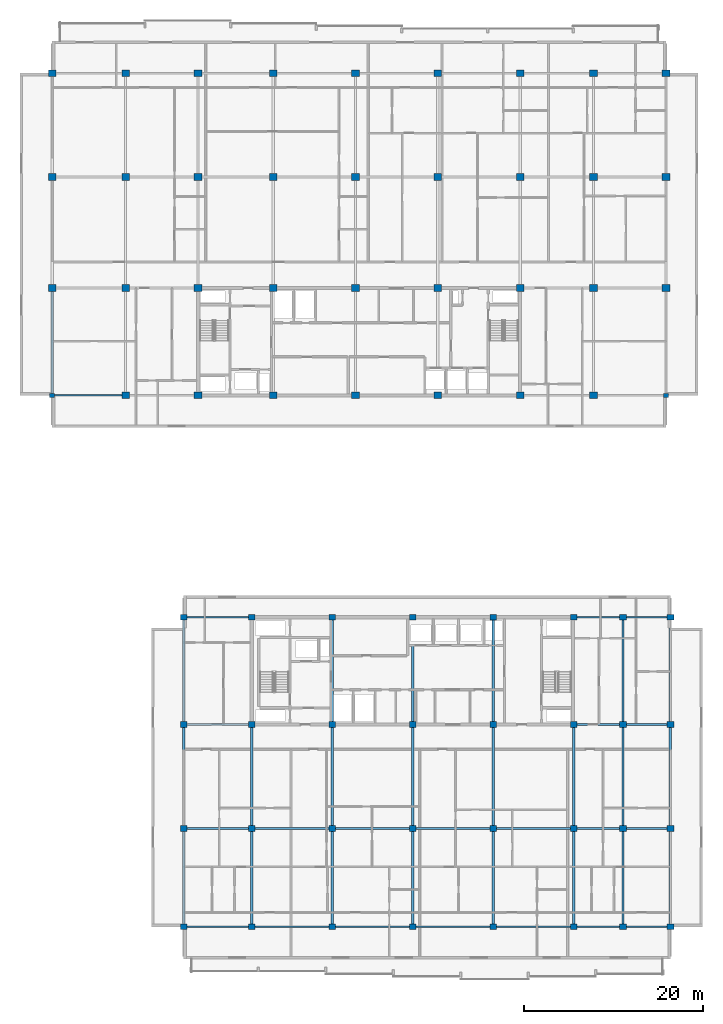
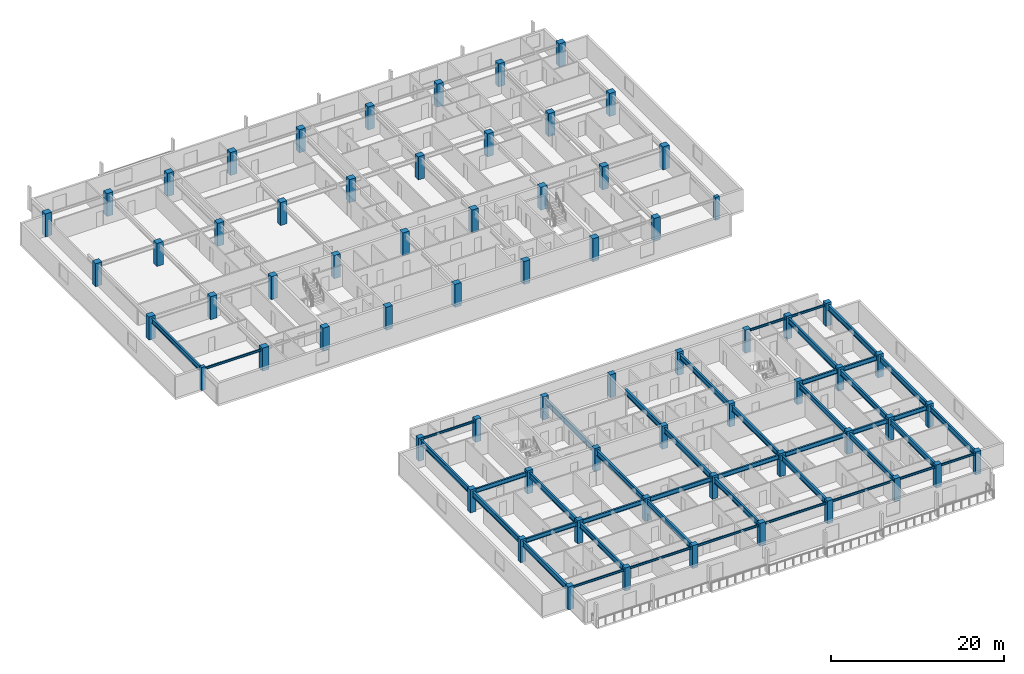
# One storey, part 1 of 21: 68 columns, 44 beams.
"""IFC4 building model written with IfcOpenShell, lengths in metres."""

from ifc_helpers import new_model, si_unit, direction, frame, origin, origin_2d, place, context, subcontext, project, spatial, rectangle, i_section, extrude, material, material_profile, profile_set, type_object, element, save


model = new_model("IFC4")

# Units and contexts
model_context = context("Model", 3, precision=1e-05, world=origin(), true_north=direction((0.0, 1.0)))
body_context = subcontext(model_context, "Body", "Model", "MODEL_VIEW")
ifc_project = project(units=[si_unit("LENGTHUNIT", "METRE"), si_unit("AREAUNIT", "SQUARE_METRE"), si_unit("VOLUMEUNIT", "CUBIC_METRE"), si_unit("PLANEANGLEUNIT", "RADIAN"), si_unit("MASSUNIT", "GRAM", prefix="KILO")], contexts=[model_context])

# Site, building, storey
site_placement = place(None, origin())
site = spatial("IfcSite", under=ifc_project, at=site_placement, CompositionType="ELEMENT")
building_placement = place(site_placement, origin())
building = spatial("IfcBuilding", under=site, at=building_placement, Name="Korimba Cascade Residences", CompositionType="ELEMENT")
storey_placement = place(building_placement, frame((0.0, 0.0, 188.10009765625)))
storey = spatial("IfcBuildingStorey", under=building, at=storey_placement, Name="L54", CompositionType="ELEMENT", Elevation=188.10009765625)

# Columns
ifc_material_1 = material(Name="Concrete C65/80", Category="concrete")
ifc_material_profile_1 = material_profile(ifc_material_1, rectangle(XDim=0.550048828125, YDim=0.449951171875, at=origin_2d()), Name="Concrete C65/80")
ifc_profile_set_1 = profile_set([ifc_material_profile_1], Name="Concrete C65/80")
column_type_1 = type_object("IfcColumnType", Name="COL-PIL-550", PredefinedType="PILASTER", material=ifc_profile_set_1)
for number, where, z_axis, x_axis, name in (
    (1, (59.800048828125, 55.199951171875, 0.0), (0.0, 0.0, 1.0), (1.0, 0.0, 0.0), "L54 Tower 1 Column 1.1"),
    (2, (128.39990234375, 55.199951171875, 0.0), (0.0, 0.0, 1.0), (1.0, 0.0, 0.0), "L54 Tower 1 Column 9.1"),
):
    element("IfcColumn", number, at=place(storey_placement, frame(where, z_axis=z_axis, x_axis=x_axis)), inside=storey, type_object=column_type_1, Name=name, PredefinedType="PILASTER", context=body_context, shape_type="SweptSolid", body=[
        extrude(rectangle(XDim=0.550048828125, YDim=0.449951171875, at=origin_2d()), origin(), (0.0, 0.0, 1.0), 3.25),
    ])
ifc_material_2 = material(Name="Concrete C50/60", Category="concrete")
ifc_material_profile_2 = material_profile(ifc_material_2, rectangle(XDim=0.75, YDim=0.64990234375, at=origin_2d()), Name="Concrete C50/60")
ifc_profile_set_2 = profile_set([ifc_material_profile_2], Name="Concrete C50/60")
column_type_2 = type_object("IfcColumnType", Name="COL-RC-750", PredefinedType="COLUMN", material=ifc_profile_set_2)
for number, where, z_axis, x_axis, name in (
    (3, (74.5, -4.199951171875, 0.0), (0.0, 0.0, 1.0), (1.0, 0.0, 0.0), "L54 Tower 2 Column 1.1"),
    (4, (74.5, 6.800048828125, 0.0), (0.0, 0.0, 1.0), (1.0, 0.0, 0.0), "L54 Tower 2 Column 1.2"),
    (5, (74.5, 18.39990234375, 0.0), (0.0, 0.0, 1.0), (1.0, 0.0, 0.0), "L54 Tower 2 Column 1.3"),
    (6, (74.5, 30.39990234375, 0.0), (0.0, 0.0, 1.0), (1.0, 0.0, 0.0), "L54 Tower 2 Column 1.4"),
    (7, (82.10009765625, -4.199951171875, 0.0), (0.0, 0.0, 1.0), (1.0, 0.0, 0.0), "L54 Tower 2 Column 2.1"),
    (8, (82.10009765625, 6.800048828125, 0.0), (0.0, 0.0, 1.0), (1.0, 0.0, 0.0), "L54 Tower 2 Column 2.2"),
    (9, (82.10009765625, 18.39990234375, 0.0), (0.0, 0.0, 1.0), (1.0, 0.0, 0.0), "L54 Tower 2 Column 2.3"),
    (10, (82.10009765625, 30.39990234375, 0.0), (0.0, 0.0, 1.0), (1.0, 0.0, 0.0), "L54 Tower 2 Column 2.4"),
    (11, (91.10009765625, -4.199951171875, 0.0), (0.0, 0.0, 1.0), (1.0, 0.0, 0.0), "L54 Tower 2 Column 3.1"),
    (12, (91.10009765625, 6.800048828125, 0.0), (0.0, 0.0, 1.0), (1.0, 0.0, 0.0), "L54 Tower 2 Column 3.2"),
    (13, (91.10009765625, 18.39990234375, 0.0), (0.0, 0.0, 1.0), (1.0, 0.0, 0.0), "L54 Tower 2 Column 3.3"),
    (14, (91.10009765625, 30.39990234375, 0.0), (0.0, 0.0, 1.0), (1.0, 0.0, 0.0), "L54 Tower 2 Column 3.4"),
    (15, (100.10009765625, -4.199951171875, 0.0), (0.0, 0.0, 1.0), (1.0, 0.0, 0.0), "L54 Tower 2 Column 4.1"),
    (16, (100.10009765625, 6.800048828125, 0.0), (0.0, 0.0, 1.0), (1.0, 0.0, 0.0), "L54 Tower 2 Column 4.2"),
    (17, (100.10009765625, 18.39990234375, 0.0), (0.0, 0.0, 1.0), (1.0, 0.0, 0.0), "L54 Tower 2 Column 4.3"),
    (18, (100.10009765625, 30.39990234375, 0.0), (0.0, 0.0, 1.0), (1.0, 0.0, 0.0), "L54 Tower 2 Column 4.4"),
    (19, (109.10009765625, -4.199951171875, 0.0), (0.0, 0.0, 1.0), (1.0, 0.0, 0.0), "L54 Tower 2 Column 5.1"),
    (20, (109.10009765625, 6.800048828125, 0.0), (0.0, 0.0, 1.0), (1.0, 0.0, 0.0), "L54 Tower 2 Column 5.2"),
    (21, (109.10009765625, 18.39990234375, 0.0), (0.0, 0.0, 1.0), (1.0, 0.0, 0.0), "L54 Tower 2 Column 5.3"),
    (22, (109.10009765625, 30.39990234375, 0.0), (0.0, 0.0, 1.0), (1.0, 0.0, 0.0), "L54 Tower 2 Column 5.4"),
    (23, (118.10009765625, -4.199951171875, 0.0), (0.0, 0.0, 1.0), (1.0, 0.0, 0.0), "L54 Tower 2 Column 6.1"),
    (24, (118.10009765625, 6.800048828125, 0.0), (0.0, 0.0, 1.0), (1.0, 0.0, 0.0), "L54 Tower 2 Column 6.2"),
    (25, (118.10009765625, 18.39990234375, 0.0), (0.0, 0.0, 1.0), (1.0, 0.0, 0.0), "L54 Tower 2 Column 6.3"),
    (26, (118.10009765625, 30.39990234375, 0.0), (0.0, 0.0, 1.0), (1.0, 0.0, 0.0), "L54 Tower 2 Column 6.4"),
    (27, (123.60009765625, -4.199951171875, 0.0), (0.0, 0.0, 1.0), (1.0, 0.0, 0.0), "L54 Tower 2 Column 7.1"),
    (28, (123.60009765625, 6.800048828125, 0.0), (0.0, 0.0, 1.0), (1.0, 0.0, 0.0), "L54 Tower 2 Column 7.2"),
    (29, (123.60009765625, 18.39990234375, 0.0), (0.0, 0.0, 1.0), (1.0, 0.0, 0.0), "L54 Tower 2 Column 7.3"),
    (30, (123.60009765625, 30.39990234375, 0.0), (0.0, 0.0, 1.0), (1.0, 0.0, 0.0), "L54 Tower 2 Column 7.4"),
    (31, (128.89990234375, -4.199951171875, 0.0), (0.0, 0.0, 1.0), (1.0, 0.0, 0.0), "L54 Tower 2 Column 8.1"),
    (32, (128.89990234375, 6.800048828125, 0.0), (0.0, 0.0, 1.0), (1.0, 0.0, 0.0), "L54 Tower 2 Column 8.2"),
    (33, (128.89990234375, 18.39990234375, 0.0), (0.0, 0.0, 1.0), (1.0, 0.0, 0.0), "L54 Tower 2 Column 8.3"),
    (34, (128.89990234375, 30.39990234375, 0.0), (0.0, 0.0, 1.0), (1.0, 0.0, 0.0), "L54 Tower 2 Column 8.4"),
):
    element("IfcColumn", number, at=place(storey_placement, frame(where, z_axis=z_axis, x_axis=x_axis)), inside=storey, type_object=column_type_2, Name=name, PredefinedType="COLUMN", context=body_context, shape_type="SweptSolid", body=[
        extrude(rectangle(XDim=0.75, YDim=0.64990234375, at=origin_2d()), origin(), (0.0, 0.0, 1.0), 3.25),
    ])
ifc_material_profile_3 = material_profile(ifc_material_1, rectangle(XDim=0.85009765625, YDim=0.75, at=origin_2d()), Name="Concrete C65/80")
ifc_profile_set_3 = profile_set([ifc_material_profile_3], Name="Concrete C65/80")
column_type_3 = type_object("IfcColumnType", Name="COL-RC-850", PredefinedType="COLUMN", material=ifc_profile_set_3)
for number, where, z_axis, x_axis, name in (
    (35, (59.800048828125, 67.199951171875, 0.0), (0.0, 0.0, 1.0), (1.0, 0.0, 0.0), "L54 Tower 1 Column 1.2"),
    (36, (59.800048828125, 79.60009765625, 0.0), (0.0, 0.0, 1.0), (1.0, 0.0, 0.0), "L54 Tower 1 Column 1.3"),
    (37, (59.800048828125, 91.199951171875, 0.0), (0.0, 0.0, 1.0), (1.0, 0.0, 0.0), "L54 Tower 1 Column 1.4"),
    (38, (68.0, 55.199951171875, 0.0), (0.0, 0.0, 1.0), (1.0, 0.0, 0.0), "L54 Tower 1 Column 2.1"),
    (39, (68.0, 67.199951171875, 0.0), (0.0, 0.0, 1.0), (1.0, 0.0, 0.0), "L54 Tower 1 Column 2.2"),
    (40, (68.0, 79.60009765625, 0.0), (0.0, 0.0, 1.0), (1.0, 0.0, 0.0), "L54 Tower 1 Column 2.3"),
    (41, (68.0, 91.199951171875, 0.0), (0.0, 0.0, 1.0), (1.0, 0.0, 0.0), "L54 Tower 1 Column 2.4"),
    (42, (76.10009765625, 55.199951171875, 0.0), (0.0, 0.0, 1.0), (1.0, 0.0, 0.0), "L54 Tower 1 Column 3.1"),
    (43, (76.10009765625, 67.199951171875, 0.0), (0.0, 0.0, 1.0), (1.0, 0.0, 0.0), "L54 Tower 1 Column 3.2"),
    (44, (76.10009765625, 79.60009765625, 0.0), (0.0, 0.0, 1.0), (1.0, 0.0, 0.0), "L54 Tower 1 Column 3.3"),
    (45, (76.10009765625, 91.199951171875, 0.0), (0.0, 0.0, 1.0), (1.0, 0.0, 0.0), "L54 Tower 1 Column 3.4"),
    (46, (84.5, 55.199951171875, 0.0), (0.0, 0.0, 1.0), (1.0, 0.0, 0.0), "L54 Tower 1 Column 4.1"),
    (47, (84.5, 67.199951171875, 0.0), (0.0, 0.0, 1.0), (1.0, 0.0, 0.0), "L54 Tower 1 Column 4.2"),
    (48, (84.5, 79.60009765625, 0.0), (0.0, 0.0, 1.0), (1.0, 0.0, 0.0), "L54 Tower 1 Column 4.3"),
    (49, (84.5, 91.199951171875, 0.0), (0.0, 0.0, 1.0), (1.0, 0.0, 0.0), "L54 Tower 1 Column 4.4"),
    (50, (93.699951171875, 55.199951171875, 0.0), (0.0, 0.0, 1.0), (1.0, 0.0, 0.0), "L54 Tower 1 Column 5.1"),
    (51, (93.699951171875, 67.199951171875, 0.0), (0.0, 0.0, 1.0), (1.0, 0.0, 0.0), "L54 Tower 1 Column 5.2"),
    (52, (93.699951171875, 79.60009765625, 0.0), (0.0, 0.0, 1.0), (1.0, 0.0, 0.0), "L54 Tower 1 Column 5.3"),
    (53, (93.699951171875, 91.199951171875, 0.0), (0.0, 0.0, 1.0), (1.0, 0.0, 0.0), "L54 Tower 1 Column 5.4"),
    (54, (102.89990234375, 55.199951171875, 0.0), (0.0, 0.0, 1.0), (1.0, 0.0, 0.0), "L54 Tower 1 Column 6.1"),
    (55, (102.89990234375, 67.199951171875, 0.0), (0.0, 0.0, 1.0), (1.0, 0.0, 0.0), "L54 Tower 1 Column 6.2"),
    (56, (102.89990234375, 79.60009765625, 0.0), (0.0, 0.0, 1.0), (1.0, 0.0, 0.0), "L54 Tower 1 Column 6.3"),
    (57, (102.89990234375, 91.199951171875, 0.0), (0.0, 0.0, 1.0), (1.0, 0.0, 0.0), "L54 Tower 1 Column 6.4"),
    (58, (112.10009765625, 55.199951171875, 0.0), (0.0, 0.0, 1.0), (1.0, 0.0, 0.0), "L54 Tower 1 Column 7.1"),
    (59, (112.10009765625, 67.199951171875, 0.0), (0.0, 0.0, 1.0), (1.0, 0.0, 0.0), "L54 Tower 1 Column 7.2"),
    (60, (112.10009765625, 79.60009765625, 0.0), (0.0, 0.0, 1.0), (1.0, 0.0, 0.0), "L54 Tower 1 Column 7.3"),
    (61, (112.10009765625, 91.199951171875, 0.0), (0.0, 0.0, 1.0), (1.0, 0.0, 0.0), "L54 Tower 1 Column 7.4"),
    (62, (120.300048828125, 55.199951171875, 0.0), (0.0, 0.0, 1.0), (1.0, 0.0, 0.0), "L54 Tower 1 Column 8.1"),
    (63, (120.300048828125, 67.199951171875, 0.0), (0.0, 0.0, 1.0), (1.0, 0.0, 0.0), "L54 Tower 1 Column 8.2"),
    (64, (120.300048828125, 79.60009765625, 0.0), (0.0, 0.0, 1.0), (1.0, 0.0, 0.0), "L54 Tower 1 Column 8.3"),
    (65, (120.300048828125, 91.199951171875, 0.0), (0.0, 0.0, 1.0), (1.0, 0.0, 0.0), "L54 Tower 1 Column 8.4"),
    (66, (128.39990234375, 67.199951171875, 0.0), (0.0, 0.0, 1.0), (1.0, 0.0, 0.0), "L54 Tower 1 Column 9.2"),
    (67, (128.39990234375, 79.60009765625, 0.0), (0.0, 0.0, 1.0), (1.0, 0.0, 0.0), "L54 Tower 1 Column 9.3"),
    (68, (128.39990234375, 91.199951171875, 0.0), (0.0, 0.0, 1.0), (1.0, 0.0, 0.0), "L54 Tower 1 Column 9.4"),
):
    element("IfcColumn", number, at=place(storey_placement, frame(where, z_axis=z_axis, x_axis=x_axis)), inside=storey, type_object=column_type_3, Name=name, PredefinedType="COLUMN", context=body_context, shape_type="SweptSolid", body=[
        extrude(rectangle(XDim=0.85009765625, YDim=0.75, at=origin_2d()), origin(), (0.0, 0.0, 1.0), 3.25),
    ])

# Beams
ifc_material_3 = material(Name="Steel S355", Category="steel")
ifc_material_profile_4 = material_profile(ifc_material_3, i_section(OverallWidth=0.165771484375, OverallDepth=0.306640625, WebThickness=0.006591796875, FlangeThickness=0.01171875, FilletRadius=0.0087890625, at=origin_2d()), Name="Steel S355")
ifc_profile_set_4 = profile_set([ifc_material_profile_4], Name="Steel S355")
beam_type_1 = type_object("IfcBeamType", Name="BM-STL-UB305", PredefinedType="SPANDREL", material=ifc_profile_set_4)
beam_1_placement = place(storey_placement, frame((60.074951171875, 55.199951171875, 2.816650390625), z_axis=(1.0, 0.0, 0.0), x_axis=(0.0, 1.0, 0.0)))
element("IfcBeam", 69, at=beam_1_placement, inside=storey, type_object=beam_type_1, Name="L54 T1 E-W Girder Y1 Bay 1", PredefinedType="SPANDREL", context=body_context, shape_type="SweptSolid", body=[
    extrude(i_section(OverallWidth=0.165771484375, OverallDepth=0.306640625, WebThickness=0.006591796875, FlangeThickness=0.01171875, FilletRadius=0.0087890625, at=origin_2d()), origin(), (0.0, 0.0, 1.0), 7.5),
])
beam_2_placement = place(storey_placement, frame((74.875, -4.199951171875, 2.816650390625), z_axis=(1.0, 0.0, 0.0), x_axis=(0.0, 1.0, 0.0)))
element("IfcBeam", 70, at=beam_2_placement, inside=storey, type_object=beam_type_1, Name="L54 T2 E-W Girder Y1 Bay 1", PredefinedType="SPANDREL", context=body_context, shape_type="SweptSolid", body=[
    extrude(i_section(OverallWidth=0.165771484375, OverallDepth=0.306640625, WebThickness=0.006591796875, FlangeThickness=0.01171875, FilletRadius=0.0087890625, at=origin_2d()), origin(), (0.0, 0.0, 1.0), 6.85009765625),
])
for number, where, z_axis, x_axis, name in (
    (71, (82.47509765625, -4.199951171875, 2.816650390625), (1.0, 0.0, 0.0), (0.0, 1.0, 0.0), "L54 T2 E-W Girder Y1 Bay 2"),
    (72, (91.47509765625, -4.199951171875, 2.816650390625), (1.0, 0.0, 0.0), (0.0, 1.0, 0.0), "L54 T2 E-W Girder Y1 Bay 3"),
    (73, (100.47509765625, -4.199951171875, 2.816650390625), (1.0, 0.0, 0.0), (0.0, 1.0, 0.0), "L54 T2 E-W Girder Y1 Bay 4"),
    (74, (109.47509765625, -4.199951171875, 2.816650390625), (1.0, 0.0, 0.0), (0.0, 1.0, 0.0), "L54 T2 E-W Girder Y1 Bay 5"),
):
    element("IfcBeam", number, at=place(storey_placement, frame(where, z_axis=z_axis, x_axis=x_axis)), inside=storey, type_object=beam_type_1, Name=name, PredefinedType="SPANDREL", context=body_context, shape_type="SweptSolid", body=[
        extrude(i_section(OverallWidth=0.165771484375, OverallDepth=0.306640625, WebThickness=0.006591796875, FlangeThickness=0.01171875, FilletRadius=0.0087890625, at=origin_2d()), origin(), (0.0, 0.0, 1.0), 8.25),
    ])
beam_3_placement = place(storey_placement, frame((118.47509765625, -4.199951171875, 2.816650390625), z_axis=(1.0, 0.0, 0.0), x_axis=(0.0, 1.0, 0.0)))
element("IfcBeam", 75, at=beam_3_placement, inside=storey, type_object=beam_type_1, Name="L54 T2 E-W Girder Y1 Bay 6", PredefinedType="SPANDREL", context=body_context, shape_type="SweptSolid", body=[
    extrude(i_section(OverallWidth=0.165771484375, OverallDepth=0.306640625, WebThickness=0.006591796875, FlangeThickness=0.01171875, FilletRadius=0.0087890625, at=origin_2d()), origin(), (0.0, 0.0, 1.0), 4.75),
])
beam_4_placement = place(storey_placement, frame((123.97509765625, -4.199951171875, 2.816650390625), z_axis=(1.0, 0.0, 0.0), x_axis=(0.0, 1.0, 0.0)))
element("IfcBeam", 76, at=beam_4_placement, inside=storey, type_object=beam_type_1, Name="L54 T2 E-W Girder Y1 Bay 7", PredefinedType="SPANDREL", context=body_context, shape_type="SweptSolid", body=[
    extrude(i_section(OverallWidth=0.165771484375, OverallDepth=0.306640625, WebThickness=0.006591796875, FlangeThickness=0.01171875, FilletRadius=0.0087890625, at=origin_2d()), origin(), (0.0, 0.0, 1.0), 4.5498046875),
])
beam_5_placement = place(storey_placement, frame((74.875, 30.39990234375, 2.816650390625), z_axis=(1.0, 0.0, 0.0), x_axis=(0.0, 1.0, 0.0)))
element("IfcBeam", 77, at=beam_5_placement, inside=storey, type_object=beam_type_1, Name="L54 T2 E-W Girder Y4 Bay 1", PredefinedType="SPANDREL", context=body_context, shape_type="SweptSolid", body=[
    extrude(i_section(OverallWidth=0.165771484375, OverallDepth=0.306640625, WebThickness=0.006591796875, FlangeThickness=0.01171875, FilletRadius=0.0087890625, at=origin_2d()), origin(), (0.0, 0.0, 1.0), 6.85009765625),
])
beam_6_placement = place(storey_placement, frame((118.47509765625, 30.39990234375, 2.816650390625), z_axis=(1.0, 0.0, 0.0), x_axis=(0.0, 1.0, 0.0)))
element("IfcBeam", 78, at=beam_6_placement, inside=storey, type_object=beam_type_1, Name="L54 T2 E-W Girder Y4 Bay 6", PredefinedType="SPANDREL", context=body_context, shape_type="SweptSolid", body=[
    extrude(i_section(OverallWidth=0.165771484375, OverallDepth=0.306640625, WebThickness=0.006591796875, FlangeThickness=0.01171875, FilletRadius=0.0087890625, at=origin_2d()), origin(), (0.0, 0.0, 1.0), 4.75),
])
beam_7_placement = place(storey_placement, frame((123.97509765625, 30.39990234375, 2.816650390625), z_axis=(1.0, 0.0, 0.0), x_axis=(0.0, 1.0, 0.0)))
element("IfcBeam", 79, at=beam_7_placement, inside=storey, type_object=beam_type_1, Name="L54 T2 E-W Girder Y4 Bay 7", PredefinedType="SPANDREL", context=body_context, shape_type="SweptSolid", body=[
    extrude(i_section(OverallWidth=0.165771484375, OverallDepth=0.306640625, WebThickness=0.006591796875, FlangeThickness=0.01171875, FilletRadius=0.0087890625, at=origin_2d()), origin(), (0.0, 0.0, 1.0), 4.5498046875),
])
ifc_material_profile_5 = material_profile(ifc_material_3, i_section(OverallWidth=0.22900390625, OverallDepth=0.6123046875, WebThickness=0.011962890625, FlangeThickness=0.01953125, FilletRadius=0.0126953125, at=origin_2d()), Name="Steel S355")
ifc_profile_set_5 = profile_set([ifc_material_profile_5], Name="Steel S355")
beam_type_2 = type_object("IfcBeamType", Name="BM-STL-UB610B", PredefinedType="BEAM", material=ifc_profile_set_5)
beam_8_placement = place(storey_placement, frame((74.875, 6.800048828125, 2.663818359375), z_axis=(1.0, 0.0, 0.0), x_axis=(0.0, 1.0, 0.0)))
element("IfcBeam", 80, at=beam_8_placement, inside=storey, type_object=beam_type_2, Name="L54 T2 E-W Girder Y2 Bay 1", PredefinedType="BEAM", context=body_context, shape_type="SweptSolid", body=[
    extrude(i_section(OverallWidth=0.22900390625, OverallDepth=0.6123046875, WebThickness=0.011962890625, FlangeThickness=0.01953125, FilletRadius=0.0126953125, at=origin_2d()), origin(), (0.0, 0.0, 1.0), 6.85009765625),
])
for number, where, z_axis, x_axis, name in (
    (81, (82.47509765625, 6.800048828125, 2.663818359375), (1.0, 0.0, 0.0), (0.0, 1.0, 0.0), "L54 T2 E-W Girder Y2 Bay 2"),
    (82, (91.47509765625, 6.800048828125, 2.663818359375), (1.0, 0.0, 0.0), (0.0, 1.0, 0.0), "L54 T2 E-W Girder Y2 Bay 3"),
    (83, (100.47509765625, 6.800048828125, 2.663818359375), (1.0, 0.0, 0.0), (0.0, 1.0, 0.0), "L54 T2 E-W Girder Y2 Bay 4"),
    (84, (109.47509765625, 6.800048828125, 2.663818359375), (1.0, 0.0, 0.0), (0.0, 1.0, 0.0), "L54 T2 E-W Girder Y2 Bay 5"),
):
    element("IfcBeam", number, at=place(storey_placement, frame(where, z_axis=z_axis, x_axis=x_axis)), inside=storey, type_object=beam_type_2, Name=name, PredefinedType="BEAM", context=body_context, shape_type="SweptSolid", body=[
        extrude(i_section(OverallWidth=0.22900390625, OverallDepth=0.6123046875, WebThickness=0.011962890625, FlangeThickness=0.01953125, FilletRadius=0.0126953125, at=origin_2d()), origin(), (0.0, 0.0, 1.0), 8.25),
    ])
beam_9_placement = place(storey_placement, frame((118.47509765625, 6.800048828125, 2.663818359375), z_axis=(1.0, 0.0, 0.0), x_axis=(0.0, 1.0, 0.0)))
element("IfcBeam", 85, at=beam_9_placement, inside=storey, type_object=beam_type_2, Name="L54 T2 E-W Girder Y2 Bay 6", PredefinedType="BEAM", context=body_context, shape_type="SweptSolid", body=[
    extrude(i_section(OverallWidth=0.22900390625, OverallDepth=0.6123046875, WebThickness=0.011962890625, FlangeThickness=0.01953125, FilletRadius=0.0126953125, at=origin_2d()), origin(), (0.0, 0.0, 1.0), 4.75),
])
beam_10_placement = place(storey_placement, frame((123.97509765625, 6.800048828125, 2.663818359375), z_axis=(1.0, 0.0, 0.0), x_axis=(0.0, 1.0, 0.0)))
element("IfcBeam", 86, at=beam_10_placement, inside=storey, type_object=beam_type_2, Name="L54 T2 E-W Girder Y2 Bay 7", PredefinedType="BEAM", context=body_context, shape_type="SweptSolid", body=[
    extrude(i_section(OverallWidth=0.22900390625, OverallDepth=0.6123046875, WebThickness=0.011962890625, FlangeThickness=0.01953125, FilletRadius=0.0126953125, at=origin_2d()), origin(), (0.0, 0.0, 1.0), 4.5498046875),
])
beam_11_placement = place(storey_placement, frame((74.875, 18.39990234375, 2.663818359375), z_axis=(1.0, 0.0, 0.0), x_axis=(0.0, 1.0, 0.0)))
element("IfcBeam", 87, at=beam_11_placement, inside=storey, type_object=beam_type_2, Name="L54 T2 E-W Girder Y3 Bay 1", PredefinedType="BEAM", context=body_context, shape_type="SweptSolid", body=[
    extrude(i_section(OverallWidth=0.22900390625, OverallDepth=0.6123046875, WebThickness=0.011962890625, FlangeThickness=0.01953125, FilletRadius=0.0126953125, at=origin_2d()), origin(), (0.0, 0.0, 1.0), 6.85009765625),
])
beam_12_placement = place(storey_placement, frame((118.47509765625, 18.39990234375, 2.663818359375), z_axis=(1.0, 0.0, 0.0), x_axis=(0.0, 1.0, 0.0)))
element("IfcBeam", 88, at=beam_12_placement, inside=storey, type_object=beam_type_2, Name="L54 T2 E-W Girder Y3 Bay 6", PredefinedType="BEAM", context=body_context, shape_type="SweptSolid", body=[
    extrude(i_section(OverallWidth=0.22900390625, OverallDepth=0.6123046875, WebThickness=0.011962890625, FlangeThickness=0.01953125, FilletRadius=0.0126953125, at=origin_2d()), origin(), (0.0, 0.0, 1.0), 4.75),
])
beam_13_placement = place(storey_placement, frame((123.97509765625, 18.39990234375, 2.663818359375), z_axis=(1.0, 0.0, 0.0), x_axis=(0.0, 1.0, 0.0)))
element("IfcBeam", 89, at=beam_13_placement, inside=storey, type_object=beam_type_2, Name="L54 T2 E-W Girder Y3 Bay 7", PredefinedType="BEAM", context=body_context, shape_type="SweptSolid", body=[
    extrude(i_section(OverallWidth=0.22900390625, OverallDepth=0.6123046875, WebThickness=0.011962890625, FlangeThickness=0.01953125, FilletRadius=0.0126953125, at=origin_2d()), origin(), (0.0, 0.0, 1.0), 4.5498046875),
])
ifc_material_profile_6 = material_profile(ifc_material_3, i_section(OverallWidth=0.255859375, OverallDepth=0.69287109375, WebThickness=0.014404296875, FlangeThickness=0.023681640625, FilletRadius=0.01513671875, at=origin_2d()), Name="Steel S355")
ifc_profile_set_6 = profile_set([ifc_material_profile_6], Name="Steel S355")
beam_type_3 = type_object("IfcBeamType", Name="BM-STL-UB686", PredefinedType="BEAM", material=ifc_profile_set_6)
beam_14_placement = place(storey_placement, frame((59.800048828125, 55.425048828125, 2.623291015625), z_axis=(0.0, 1.0, 0.0), x_axis=(-1.0, 0.0, 0.0)))
element("IfcBeam", 90, at=beam_14_placement, inside=storey, type_object=beam_type_3, Name="L54 T1 N-S Girder X1 Seg 1", PredefinedType="BEAM", context=body_context, shape_type="SweptSolid", body=[
    extrude(i_section(OverallWidth=0.255859375, OverallDepth=0.69287109375, WebThickness=0.014404296875, FlangeThickness=0.023681640625, FilletRadius=0.01513671875, at=origin_2d()), origin(), (0.0, 0.0, 1.0), 11.39990234375),
])
ifc_material_profile_7 = material_profile(ifc_material_3, i_section(OverallWidth=0.26806640625, OverallDepth=0.769775390625, WebThickness=0.015625, FlangeThickness=0.025390625, FilletRadius=0.0166015625, at=origin_2d()), Name="Steel S355")
ifc_profile_set_7 = profile_set([ifc_material_profile_7], Name="Steel S355")
beam_type_4 = type_object("IfcBeamType", Name="BM-STL-UB762", PredefinedType="BEAM", material=ifc_profile_set_7)
beam_15_placement = place(storey_placement, frame((74.5, -3.875, 2.5849609375), z_axis=(0.0, 1.0, 0.0), x_axis=(-1.0, 0.0, 0.0)))
element("IfcBeam", 91, at=beam_15_placement, inside=storey, type_object=beam_type_4, Name="L54 T2 N-S Girder X1 Seg 1", PredefinedType="BEAM", context=body_context, shape_type="SweptSolid", body=[
    extrude(i_section(OverallWidth=0.26806640625, OverallDepth=0.769775390625, WebThickness=0.015625, FlangeThickness=0.025390625, FilletRadius=0.0166015625, at=origin_2d()), origin(), (0.0, 0.0, 1.0), 10.35009765625),
])
beam_16_placement = place(storey_placement, frame((74.5, 7.125, 2.5849609375), z_axis=(0.0, 1.0, 0.0), x_axis=(-1.0, 0.0, 0.0)))
element("IfcBeam", 92, at=beam_16_placement, inside=storey, type_object=beam_type_4, Name="L54 T2 N-S Girder X1 Seg 2", PredefinedType="BEAM", context=body_context, shape_type="SweptSolid", body=[
    extrude(i_section(OverallWidth=0.26806640625, OverallDepth=0.769775390625, WebThickness=0.015625, FlangeThickness=0.025390625, FilletRadius=0.0166015625, at=origin_2d()), origin(), (0.0, 0.0, 1.0), 10.949951171875),
])
beam_17_placement = place(storey_placement, frame((74.5, 18.72509765625, 2.5849609375), z_axis=(0.0, 1.0, 0.0), x_axis=(-1.0, 0.0, 0.0)))
element("IfcBeam", 93, at=beam_17_placement, inside=storey, type_object=beam_type_4, Name="L54 T2 N-S Girder X1 Seg 3", PredefinedType="BEAM", context=body_context, shape_type="SweptSolid", body=[
    extrude(i_section(OverallWidth=0.26806640625, OverallDepth=0.769775390625, WebThickness=0.015625, FlangeThickness=0.025390625, FilletRadius=0.0166015625, at=origin_2d()), origin(), (0.0, 0.0, 1.0), 11.349853515625),
])
beam_18_placement = place(storey_placement, frame((82.10009765625, -3.875, 2.5849609375), z_axis=(0.0, 1.0, 0.0), x_axis=(-1.0, 0.0, 0.0)))
element("IfcBeam", 94, at=beam_18_placement, inside=storey, type_object=beam_type_4, Name="L54 T2 N-S Girder X2 Seg 1", PredefinedType="BEAM", context=body_context, shape_type="SweptSolid", body=[
    extrude(i_section(OverallWidth=0.26806640625, OverallDepth=0.769775390625, WebThickness=0.015625, FlangeThickness=0.025390625, FilletRadius=0.0166015625, at=origin_2d()), origin(), (0.0, 0.0, 1.0), 10.35009765625),
])
beam_19_placement = place(storey_placement, frame((82.10009765625, 7.125, 2.5849609375), z_axis=(0.0, 1.0, 0.0), x_axis=(-1.0, 0.0, 0.0)))
element("IfcBeam", 95, at=beam_19_placement, inside=storey, type_object=beam_type_4, Name="L54 T2 N-S Girder X2 Seg 2", PredefinedType="BEAM", context=body_context, shape_type="SweptSolid", body=[
    extrude(i_section(OverallWidth=0.26806640625, OverallDepth=0.769775390625, WebThickness=0.015625, FlangeThickness=0.025390625, FilletRadius=0.0166015625, at=origin_2d()), origin(), (0.0, 0.0, 1.0), 10.949951171875),
])
beam_20_placement = place(storey_placement, frame((91.10009765625, -3.875, 2.5849609375), z_axis=(0.0, 1.0, 0.0), x_axis=(-1.0, 0.0, 0.0)))
element("IfcBeam", 96, at=beam_20_placement, inside=storey, type_object=beam_type_4, Name="L54 T2 N-S Girder X3 Seg 1", PredefinedType="BEAM", context=body_context, shape_type="SweptSolid", body=[
    extrude(i_section(OverallWidth=0.26806640625, OverallDepth=0.769775390625, WebThickness=0.015625, FlangeThickness=0.025390625, FilletRadius=0.0166015625, at=origin_2d()), origin(), (0.0, 0.0, 1.0), 10.35009765625),
])
beam_21_placement = place(storey_placement, frame((91.10009765625, 7.125, 2.5849609375), z_axis=(0.0, 1.0, 0.0), x_axis=(-1.0, 0.0, 0.0)))
element("IfcBeam", 97, at=beam_21_placement, inside=storey, type_object=beam_type_4, Name="L54 T2 N-S Girder X3 Seg 2", PredefinedType="BEAM", context=body_context, shape_type="SweptSolid", body=[
    extrude(i_section(OverallWidth=0.26806640625, OverallDepth=0.769775390625, WebThickness=0.015625, FlangeThickness=0.025390625, FilletRadius=0.0166015625, at=origin_2d()), origin(), (0.0, 0.0, 1.0), 10.949951171875),
])
beam_22_placement = place(storey_placement, frame((91.10009765625, 18.72509765625, 2.5849609375), z_axis=(0.0, 1.0, 0.0), x_axis=(-1.0, 0.0, 0.0)))
element("IfcBeam", 98, at=beam_22_placement, inside=storey, type_object=beam_type_4, Name="L54 T2 N-S Girder X3 Seg 3", PredefinedType="BEAM", context=body_context, shape_type="SweptSolid", body=[
    extrude(i_section(OverallWidth=0.26806640625, OverallDepth=0.769775390625, WebThickness=0.015625, FlangeThickness=0.025390625, FilletRadius=0.0166015625, at=origin_2d()), origin(), (0.0, 0.0, 1.0), 11.349853515625),
])
beam_23_placement = place(storey_placement, frame((100.10009765625, -3.875, 2.5849609375), z_axis=(0.0, 1.0, 0.0), x_axis=(-1.0, 0.0, 0.0)))
element("IfcBeam", 99, at=beam_23_placement, inside=storey, type_object=beam_type_4, Name="L54 T2 N-S Girder X4 Seg 1", PredefinedType="BEAM", context=body_context, shape_type="SweptSolid", body=[
    extrude(i_section(OverallWidth=0.26806640625, OverallDepth=0.769775390625, WebThickness=0.015625, FlangeThickness=0.025390625, FilletRadius=0.0166015625, at=origin_2d()), origin(), (0.0, 0.0, 1.0), 10.35009765625),
])
beam_24_placement = place(storey_placement, frame((100.10009765625, 7.125, 2.5849609375), z_axis=(0.0, 1.0, 0.0), x_axis=(-1.0, 0.0, 0.0)))
element("IfcBeam", 100, at=beam_24_placement, inside=storey, type_object=beam_type_4, Name="L54 T2 N-S Girder X4 Seg 2", PredefinedType="BEAM", context=body_context, shape_type="SweptSolid", body=[
    extrude(i_section(OverallWidth=0.26806640625, OverallDepth=0.769775390625, WebThickness=0.015625, FlangeThickness=0.025390625, FilletRadius=0.0166015625, at=origin_2d()), origin(), (0.0, 0.0, 1.0), 10.949951171875),
])
beam_25_placement = place(storey_placement, frame((100.10009765625, 18.72509765625, 2.5849609375), z_axis=(0.0, 1.0, 0.0), x_axis=(-1.0, 0.0, 0.0)))
element("IfcBeam", 101, at=beam_25_placement, inside=storey, type_object=beam_type_4, Name="L54 T2 N-S Girder X4 Seg 3", PredefinedType="BEAM", context=body_context, shape_type="SweptSolid", body=[
    extrude(i_section(OverallWidth=0.26806640625, OverallDepth=0.769775390625, WebThickness=0.015625, FlangeThickness=0.025390625, FilletRadius=0.0166015625, at=origin_2d()), origin(), (0.0, 0.0, 1.0), 8.614990234375),
])
beam_26_placement = place(storey_placement, frame((109.10009765625, -3.875, 2.5849609375), z_axis=(0.0, 1.0, 0.0), x_axis=(-1.0, 0.0, 0.0)))
element("IfcBeam", 102, at=beam_26_placement, inside=storey, type_object=beam_type_4, Name="L54 T2 N-S Girder X5 Seg 1", PredefinedType="BEAM", context=body_context, shape_type="SweptSolid", body=[
    extrude(i_section(OverallWidth=0.26806640625, OverallDepth=0.769775390625, WebThickness=0.015625, FlangeThickness=0.025390625, FilletRadius=0.0166015625, at=origin_2d()), origin(), (0.0, 0.0, 1.0), 10.35009765625),
])
beam_27_placement = place(storey_placement, frame((109.10009765625, 7.125, 2.5849609375), z_axis=(0.0, 1.0, 0.0), x_axis=(-1.0, 0.0, 0.0)))
element("IfcBeam", 103, at=beam_27_placement, inside=storey, type_object=beam_type_4, Name="L54 T2 N-S Girder X5 Seg 2", PredefinedType="BEAM", context=body_context, shape_type="SweptSolid", body=[
    extrude(i_section(OverallWidth=0.26806640625, OverallDepth=0.769775390625, WebThickness=0.015625, FlangeThickness=0.025390625, FilletRadius=0.0166015625, at=origin_2d()), origin(), (0.0, 0.0, 1.0), 10.949951171875),
])
beam_28_placement = place(storey_placement, frame((109.10009765625, 18.72509765625, 2.5849609375), z_axis=(0.0, 1.0, 0.0), x_axis=(-1.0, 0.0, 0.0)))
element("IfcBeam", 104, at=beam_28_placement, inside=storey, type_object=beam_type_4, Name="L54 T2 N-S Girder X5 Seg 3", PredefinedType="BEAM", context=body_context, shape_type="SweptSolid", body=[
    extrude(i_section(OverallWidth=0.26806640625, OverallDepth=0.769775390625, WebThickness=0.015625, FlangeThickness=0.025390625, FilletRadius=0.0166015625, at=origin_2d()), origin(), (0.0, 0.0, 1.0), 11.349853515625),
])
beam_29_placement = place(storey_placement, frame((118.10009765625, -3.875, 2.5849609375), z_axis=(0.0, 1.0, 0.0), x_axis=(-1.0, 0.0, 0.0)))
element("IfcBeam", 105, at=beam_29_placement, inside=storey, type_object=beam_type_4, Name="L54 T2 N-S Girder X6 Seg 1", PredefinedType="BEAM", context=body_context, shape_type="SweptSolid", body=[
    extrude(i_section(OverallWidth=0.26806640625, OverallDepth=0.769775390625, WebThickness=0.015625, FlangeThickness=0.025390625, FilletRadius=0.0166015625, at=origin_2d()), origin(), (0.0, 0.0, 1.0), 10.35009765625),
])
beam_30_placement = place(storey_placement, frame((118.10009765625, 7.125, 2.5849609375), z_axis=(0.0, 1.0, 0.0), x_axis=(-1.0, 0.0, 0.0)))
element("IfcBeam", 106, at=beam_30_placement, inside=storey, type_object=beam_type_4, Name="L54 T2 N-S Girder X6 Seg 2", PredefinedType="BEAM", context=body_context, shape_type="SweptSolid", body=[
    extrude(i_section(OverallWidth=0.26806640625, OverallDepth=0.769775390625, WebThickness=0.015625, FlangeThickness=0.025390625, FilletRadius=0.0166015625, at=origin_2d()), origin(), (0.0, 0.0, 1.0), 10.949951171875),
])
beam_31_placement = place(storey_placement, frame((123.60009765625, -3.875, 2.5849609375), z_axis=(0.0, 1.0, 0.0), x_axis=(-1.0, 0.0, 0.0)))
element("IfcBeam", 107, at=beam_31_placement, inside=storey, type_object=beam_type_4, Name="L54 T2 N-S Girder X7 Seg 1", PredefinedType="BEAM", context=body_context, shape_type="SweptSolid", body=[
    extrude(i_section(OverallWidth=0.26806640625, OverallDepth=0.769775390625, WebThickness=0.015625, FlangeThickness=0.025390625, FilletRadius=0.0166015625, at=origin_2d()), origin(), (0.0, 0.0, 1.0), 10.35009765625),
])
beam_32_placement = place(storey_placement, frame((123.60009765625, 7.125, 2.5849609375), z_axis=(0.0, 1.0, 0.0), x_axis=(-1.0, 0.0, 0.0)))
element("IfcBeam", 108, at=beam_32_placement, inside=storey, type_object=beam_type_4, Name="L54 T2 N-S Girder X7 Seg 2", PredefinedType="BEAM", context=body_context, shape_type="SweptSolid", body=[
    extrude(i_section(OverallWidth=0.26806640625, OverallDepth=0.769775390625, WebThickness=0.015625, FlangeThickness=0.025390625, FilletRadius=0.0166015625, at=origin_2d()), origin(), (0.0, 0.0, 1.0), 10.949951171875),
])
beam_33_placement = place(storey_placement, frame((123.60009765625, 18.72509765625, 2.5849609375), z_axis=(0.0, 1.0, 0.0), x_axis=(-1.0, 0.0, 0.0)))
element("IfcBeam", 109, at=beam_33_placement, inside=storey, type_object=beam_type_4, Name="L54 T2 N-S Girder X7 Seg 3", PredefinedType="BEAM", context=body_context, shape_type="SweptSolid", body=[
    extrude(i_section(OverallWidth=0.26806640625, OverallDepth=0.769775390625, WebThickness=0.015625, FlangeThickness=0.025390625, FilletRadius=0.0166015625, at=origin_2d()), origin(), (0.0, 0.0, 1.0), 11.349853515625),
])
beam_34_placement = place(storey_placement, frame((128.89990234375, -3.875, 2.5849609375), z_axis=(0.0, 1.0, 0.0), x_axis=(-1.0, 0.0, 0.0)))
element("IfcBeam", 110, at=beam_34_placement, inside=storey, type_object=beam_type_4, Name="L54 T2 N-S Girder X8 Seg 1", PredefinedType="BEAM", context=body_context, shape_type="SweptSolid", body=[
    extrude(i_section(OverallWidth=0.26806640625, OverallDepth=0.769775390625, WebThickness=0.015625, FlangeThickness=0.025390625, FilletRadius=0.0166015625, at=origin_2d()), origin(), (0.0, 0.0, 1.0), 10.35009765625),
])
beam_35_placement = place(storey_placement, frame((128.89990234375, 7.125, 2.5849609375), z_axis=(0.0, 1.0, 0.0), x_axis=(-1.0, 0.0, 0.0)))
element("IfcBeam", 111, at=beam_35_placement, inside=storey, type_object=beam_type_4, Name="L54 T2 N-S Girder X8 Seg 2", PredefinedType="BEAM", context=body_context, shape_type="SweptSolid", body=[
    extrude(i_section(OverallWidth=0.26806640625, OverallDepth=0.769775390625, WebThickness=0.015625, FlangeThickness=0.025390625, FilletRadius=0.0166015625, at=origin_2d()), origin(), (0.0, 0.0, 1.0), 10.949951171875),
])
beam_36_placement = place(storey_placement, frame((128.89990234375, 18.72509765625, 2.5849609375), z_axis=(0.0, 1.0, 0.0), x_axis=(-1.0, 0.0, 0.0)))
element("IfcBeam", 112, at=beam_36_placement, inside=storey, type_object=beam_type_4, Name="L54 T2 N-S Girder X8 Seg 3", PredefinedType="BEAM", context=body_context, shape_type="SweptSolid", body=[
    extrude(i_section(OverallWidth=0.26806640625, OverallDepth=0.769775390625, WebThickness=0.015625, FlangeThickness=0.025390625, FilletRadius=0.0166015625, at=origin_2d()), origin(), (0.0, 0.0, 1.0), 11.349853515625),
])

save(model, "model.ifc")
